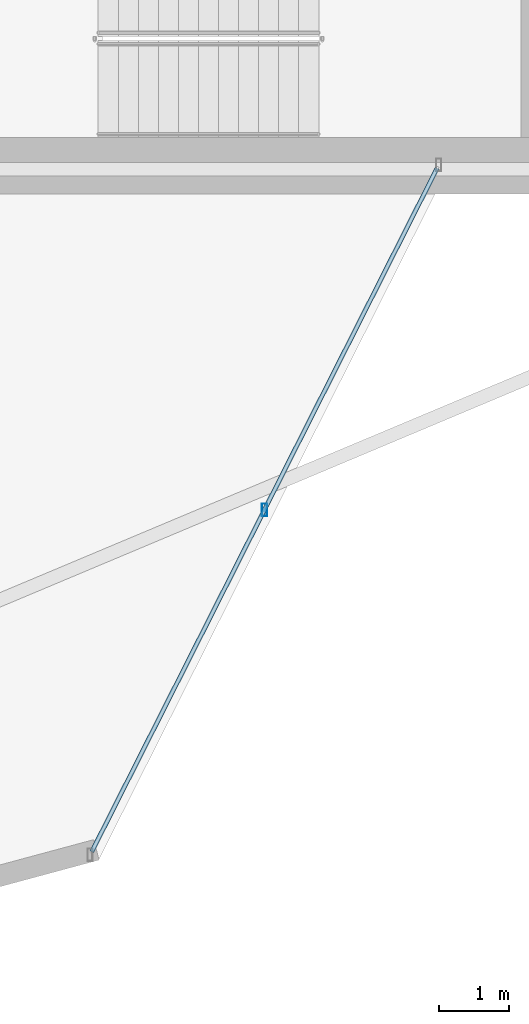
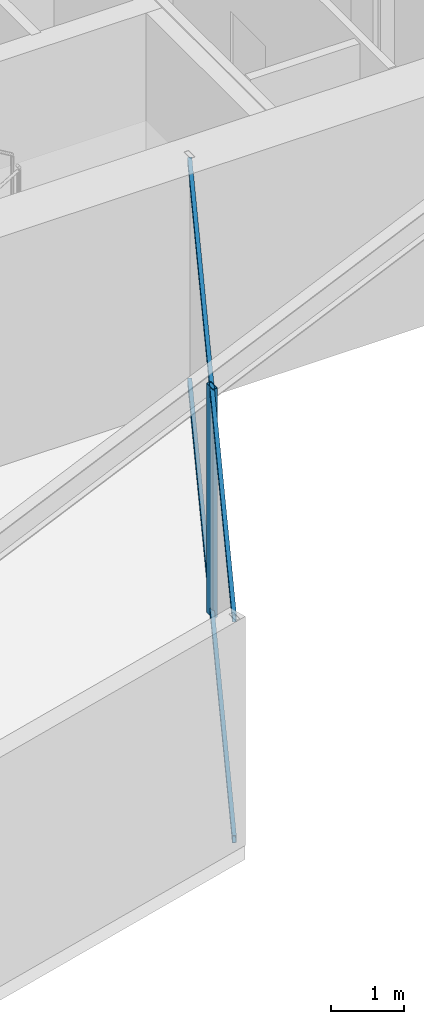
# One storey, part 12 of 26: 3 members, 1 element without a shape of its own.
"""IFC4 building model written with IfcOpenShell, lengths in metres."""

import ifcopenshell
import ifcopenshell.guid

model = None  # the IFC model being written
_history = None  # IfcOwnerHistory: only IFC2X3 demands one
_inside = {}  # id of a spatial element -> (the spatial element, [elements in it])
_under = {}  # id of a project, library or spatial element -> (it, [spatial elements below it])
_declared = {}  # id of a project -> (the project, [libraries it declares])
_typed = {}  # id of a type object -> (the type object, [elements of that type])
_made_of = {}  # id of a material, layer set ... -> (it, [elements and type objects made of it])


def new_model(schema):
    """Start an empty IFC model of exactly this schema.

    Asked for "IFC4X3", IfcOpenShell would pick the latest addendum, in which some entities
    have other attributes; the version numbers below select the first issue.
    IFC2X3 requires an IfcOwnerHistory on every rooted entity: one is made here for all.
    """
    global model, _history
    if schema == "IFC4X3":
        model = ifcopenshell.file(schema_version=(4, 3, 0, 0))
    else:
        model = ifcopenshell.file(schema=schema)
    _inside.clear()
    _under.clear()
    _declared.clear()
    _typed.clear()
    _made_of.clear()
    _history = None
    if model.schema == "IFC2X3":
        org = make("IfcOrganization", Name="unknown")
        user = make(
            "IfcPersonAndOrganization",
            ThePerson=make("IfcPerson", FamilyName="unknown"),
            TheOrganization=org,
        )
        app = make(
            "IfcApplication",
            ApplicationDeveloper=org,
            Version="unknown",
            ApplicationFullName="unknown",
            ApplicationIdentifier="unknown",
        )
        _history = make(
            "IfcOwnerHistory",
            OwningUser=user,
            OwningApplication=app,
            ChangeAction="ADDED",
            CreationDate=0,
        )
    return model


def make(cls, **values):
    """One entity of the class cls with the attributes given. An attribute that is None is left unset."""
    return model.create_entity(
        cls, **{name: value for name, value in values.items() if value is not None}
    )


def rooted(cls, **values):
    """An entity with a GlobalId (a new one), such as an element, a storey or a relation."""
    return make(cls, GlobalId=ifcopenshell.guid.new(), OwnerHistory=_history, **values)


def si_unit(unit_type, name, prefix=None):
    """IfcSIUnit, for example si_unit("LENGTHUNIT", "METRE", prefix="MILLI")."""
    return make("IfcSIUnit", UnitType=unit_type, Prefix=prefix, Name=name)


def assignment(units):
    """IfcUnitAssignment: the units of a project."""
    return None if units is None else make("IfcUnitAssignment", Units=units)


def point(xyz):
    """IfcCartesianPoint."""
    return None if xyz is None else make("IfcCartesianPoint", Coordinates=xyz)


def direction(xyz):
    """IfcDirection."""
    return None if xyz is None else make("IfcDirection", DirectionRatios=xyz)


def frame(location, z_axis=None, x_axis=None):
    """IfcAxis2Placement3D, a coordinate frame: its origin and axes. An axis left out is left unset."""
    return make(
        "IfcAxis2Placement3D",
        Location=point(location),
        Axis=direction(z_axis),
        RefDirection=direction(x_axis),
    )


def frame_2d(location, x_axis=None):
    """IfcAxis2Placement2D, a coordinate frame in the plane: its origin and x axis."""
    return make(
        "IfcAxis2Placement2D", Location=point(location), RefDirection=direction(x_axis)
    )


def origin():
    """The frame at (0, 0, 0) with its axes left unset."""
    return frame((0.0, 0.0, 0.0))


def origin_2d():
    """The frame at (0, 0) in the plane with its x axis left unset."""
    return frame_2d((0.0, 0.0))


def place(relative_to, where):
    """IfcLocalPlacement: puts the frame where relative to a parent placement (None: the world)."""
    return make(
        "IfcLocalPlacement", PlacementRelTo=relative_to, RelativePlacement=where
    )


def context(
    kind, dimensions, precision=None, world=None, true_north=None, identifier=None
):
    """IfcGeometricRepresentationContext, for example the 3D "Model" context."""
    return make(
        "IfcGeometricRepresentationContext",
        ContextIdentifier=identifier,
        ContextType=kind,
        CoordinateSpaceDimension=dimensions,
        Precision=precision,
        WorldCoordinateSystem=world,
        TrueNorth=true_north,
    )


def subcontext(parent, identifier, kind, view, scale=None):
    """IfcGeometricRepresentationSubContext, for example "Body" below "Model"."""
    return make(
        "IfcGeometricRepresentationSubContext",
        ContextIdentifier=identifier,
        ContextType=kind,
        ParentContext=parent,
        TargetScale=scale,
        TargetView=view,
    )


def project(units=None, contexts=None):
    """IfcProject with its units and contexts."""
    return rooted(
        "IfcProject",
        Name="project",
        RepresentationContexts=contexts,
        UnitsInContext=assignment(units),
    )


def spatial(cls, under=None, at=None, **own):
    """A site, building, storey or space (cls), placed at a placement, below another one or the project."""
    s = rooted(cls, ObjectPlacement=at, **own)
    if under is not None:
        _under.setdefault(under.id(), (under, []))[1].append(s)
    return s


def profile(cls, at=None, kind="AREA", **sizes):
    """A parametric profile (cls). Its sizes go by their IFC names, for example OverallWidth=200.0."""
    return make(cls, ProfileType=kind, Position=at, **sizes)


def hollow_rectangle(**sizes):
    """IfcRectangleHollowProfileDef."""
    return profile("IfcRectangleHollowProfileDef", **sizes)


def extrude(swept, where, along, depth):
    """IfcExtrudedAreaSolid: the profile swept, set in the frame where, extruded along a direction by depth."""
    return make(
        "IfcExtrudedAreaSolid",
        SweptArea=swept,
        Position=where,
        ExtrudedDirection=direction(along),
        Depth=depth,
    )


def shape(context_of_items, identifier, shape_type, items):
    """IfcShapeRepresentation: the items that make up one representation, for example the "Body"."""
    return make(
        "IfcShapeRepresentation",
        ContextOfItems=context_of_items,
        RepresentationIdentifier=identifier,
        RepresentationType=shape_type,
        Items=items,
    )


def material(Name=None, Category=None):
    """IfcMaterial."""
    return make("IfcMaterial", Name=Name, Category=Category)


def layer(
    of_material, thickness, ventilated=None, Name=None, Category=None, Priority=None
):
    """IfcMaterialLayer: one layer of a wall or slab, of a material (None: an air gap)."""
    return make(
        "IfcMaterialLayer",
        Material=of_material,
        LayerThickness=thickness,
        IsVentilated=ventilated,
        Name=Name,
        Category=Category,
        Priority=Priority,
    )


def layer_set(layers, Name=None):
    """IfcMaterialLayerSet."""
    return make("IfcMaterialLayerSet", MaterialLayers=layers, LayerSetName=Name)


def material_profile(
    of_material, cross_section, Name=None, Category=None, Priority=None
):
    """IfcMaterialProfile: a cross section and its material."""
    return make(
        "IfcMaterialProfile",
        Name=Name,
        Material=of_material,
        Profile=cross_section,
        Priority=Priority,
        Category=Category,
    )


def profile_set(profiles, Name=None, composite=None):
    """IfcMaterialProfileSet."""
    return make(
        "IfcMaterialProfileSet",
        Name=Name,
        MaterialProfiles=profiles,
        CompositeProfile=composite,
    )


def made_of(thing, what):
    """Note that an element or type object is made of a material, layer set ...; save() writes the relation."""
    if what is not None:
        _made_of.setdefault(what.id(), (what, []))[1].append(thing)
    return thing


def type_object(cls, material=None, **own):
    """A type object (cls), such as IfcWallType, which elements share."""
    return made_of(rooted(cls, **own), material)


def element(
    cls,
    number,
    at=None,
    inside=None,
    cuts=None,
    type_object=None,
    material=None,
    context=None,
    identifier="Body",
    shape_type=None,
    held_by="IfcProductDefinitionShape",
    body=None,
    shapes=None,
    **own,
):
    """One element of the class cls, such as IfcWall. Its Tag is "e" and its number.

    at: its placement. inside: the storey or other place that contains it. cuts: it is an
    opening in that element (IfcRelVoidsElement). A single representation is given by context,
    identifier, shape_type and body (its items); several are given by shapes. held_by: the class
    of the entity that holds the representations. save() writes the other relations.
    """
    e = rooted(cls, Tag="e%d" % number, ObjectPlacement=at, **own)
    if body is not None:
        shapes = [shape(context, identifier, shape_type, body)]
    if shapes is not None:
        e.Representation = make(held_by, Representations=shapes)
    if inside is not None:
        _inside.setdefault(inside.id(), (inside, []))[1].append(e)
    if cuts is not None:
        rooted(
            "IfcRelVoidsElement", RelatingBuildingElement=cuts, RelatedOpeningElement=e
        )
    if type_object is not None:
        _typed.setdefault(type_object.id(), (type_object, []))[1].append(e)
    return made_of(e, material)


def aggregate(whole, parts):
    """IfcRelAggregates: a whole, such as a stair, and the parts it consists of."""
    return rooted("IfcRelAggregates", RelatingObject=whole, RelatedObjects=parts)


def save(model, path):
    """Write the relations noted so far, then the file.

    IfcRelAggregates (storeys below a building ...), IfcRelContainedInSpatialStructure (elements
    in a storey), IfcRelDefinesByType, IfcRelAssociatesMaterial and IfcRelDeclares: one each for
    every whole, place, type object, material and project.
    """
    for whole, parts in _under.values():
        aggregate(whole, parts)
    for where, things in _inside.values():
        rooted(
            "IfcRelContainedInSpatialStructure",
            RelatedElements=things,
            RelatingStructure=where,
        )
    for kind, things in _typed.values():
        rooted("IfcRelDefinesByType", RelatedObjects=things, RelatingType=kind)
    for what, things in _made_of.values():
        rooted("IfcRelAssociatesMaterial", RelatedObjects=things, RelatingMaterial=what)
    for by, libraries in _declared.values():
        rooted("IfcRelDeclares", RelatingContext=by, RelatedDefinitions=libraries)
    model.write(path)


model = new_model("IFC4")

# Units and contexts
model_context = context("Model", 3, precision=1e-05, world=origin(), true_north=direction((0.0, 1.0)))
body_context = subcontext(model_context, "Body", "Model", "MODEL_VIEW")
ifc_project = project(units=[si_unit("LENGTHUNIT", "METRE"), si_unit("AREAUNIT", "SQUARE_METRE"), si_unit("VOLUMEUNIT", "CUBIC_METRE"), si_unit("PLANEANGLEUNIT", "RADIAN"), si_unit("MASSUNIT", "GRAM", prefix="KILO")], contexts=[model_context])

# Site, building, storey
site_placement = place(None, origin())
site = spatial("IfcSite", under=ifc_project, at=site_placement, CompositionType="ELEMENT")
building_placement = place(site_placement, origin())
building = spatial("IfcBuilding", under=site, at=building_placement, Name="Veymaron Broadcast Tower", CompositionType="ELEMENT")
storey_placement = place(building_placement, frame((0.0, 0.0, 133.050048828125)))
storey = spatial("IfcBuildingStorey", under=building, at=storey_placement, Name="L30", CompositionType="ELEMENT", Elevation=133.050048828125)

# Curtain wall, members
ifc_material_1 = material(Name="Anodised aluminium AA 6063-T6 and laminated low-E dark glass", Category="aluminium")
ifc_layer = layer(ifc_material_1, 0.179931640625)
ifc_layer_set = layer_set([ifc_layer], Name="Anodised aluminium AA 6063-T6 and laminated low-E dark glass")
curtain_wall_type = type_object("IfcCurtainWallType", Name="CW-SYS-03", PredefinedType="NOTDEFINED", material=ifc_layer_set)
curtain_wall_placement = place(storey_placement, origin())
curtain_wall = element("IfcCurtainWall", 1, at=curtain_wall_placement, inside=storey, type_object=curtain_wall_type, Name="L30 dark-glass curtain wall CW-L30-E20-1", PredefinedType="NOTDEFINED")
ifc_material_2 = material(Name="Anodised aluminium AA 6063-T6", Category="aluminium")
ifc_material_profile_1 = material_profile(ifc_material_2, hollow_rectangle(XDim=0.074951171875, YDim=0.179931640625, WallThickness=0.0048828125, at=origin_2d()), Name="AL180X75X5")
ifc_profile_set_1 = profile_set([ifc_material_profile_1], Name="Anodised aluminium AA 6063-T6")
member_type_1 = type_object("IfcMemberType", Name="CW-MUL-02", PredefinedType="MULLION", material=ifc_profile_set_1)
member_1_placement = place(storey_placement, frame((43.79296875, 11.158203125, 0.0), z_axis=(0.0, 0.0, 1.0), x_axis=(1.0, 0.0, 0.0)))
member_1 = element("IfcMember", 2, at=member_1_placement, type_object=member_type_1, Name="CW-L30-E20-1 mullion 1", PredefinedType="MULLION", context=body_context, shape_type="SweptSolid", body=[
    extrude(hollow_rectangle(XDim=0.074951171875, YDim=0.179931640625, WallThickness=0.0048828125, at=origin_2d()), origin(), (0.0, 0.0, 1.0), 3.81005859375),
])
ifc_material_profile_2 = material_profile(ifc_material_2, hollow_rectangle(XDim=0.06005859375, YDim=0.1201171875, WallThickness=0.00390625, at=origin_2d()), Name="AL120X60X4")
ifc_profile_set_2 = profile_set([ifc_material_profile_2], Name="Anodised aluminium AA 6063-T6")
member_type_2 = type_object("IfcMemberType", Name="CW-TRN-02", PredefinedType="USERDEFINED", material=ifc_profile_set_2)
member_2_placement = place(storey_placement, frame((41.33740234375, 6.297607421875, 0.070068359375), z_axis=(0.45091301008, 0.892567900689, 0.0), x_axis=(-0.892567900689, 0.45091301008, 0.0)))
member_2 = element("IfcMember", 3, at=member_2_placement, type_object=member_type_2, Name="CW-L30-E20-1 transom B", ObjectType="TRANSOM", PredefinedType="USERDEFINED", context=body_context, shape_type="SweptSolid", body=[
    extrude(hollow_rectangle(XDim=0.06005859375, YDim=0.1201171875, WallThickness=0.00390625, at=origin_2d()), origin(), (0.0, 0.0, 1.0), 10.890869140625),
])
member_3_placement = place(storey_placement, frame((41.33740234375, 6.297607421875, 3.739990234375), z_axis=(0.45091301008, 0.892567900689, 0.0), x_axis=(-0.892567900689, 0.45091301008, 0.0)))
member_3 = element("IfcMember", 4, at=member_3_placement, type_object=member_type_2, Name="CW-L30-E20-1 transom T", ObjectType="TRANSOM", PredefinedType="USERDEFINED", context=body_context, shape_type="SweptSolid", body=[
    extrude(hollow_rectangle(XDim=0.06005859375, YDim=0.1201171875, WallThickness=0.00390625, at=origin_2d()), origin(), (0.0, 0.0, 1.0), 10.890869140625),
])
aggregate(curtain_wall, [member_1, member_2, member_3])

save(model, "model.ifc")
